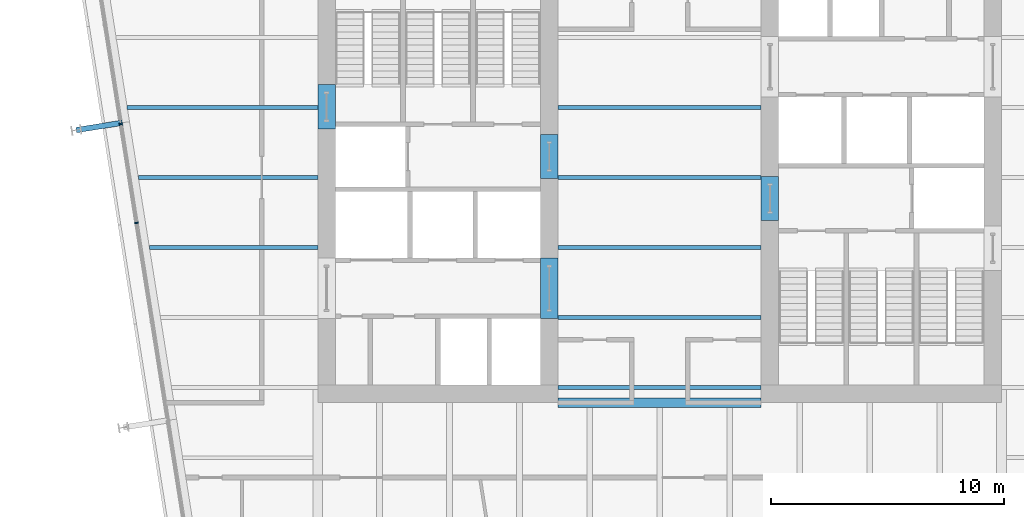
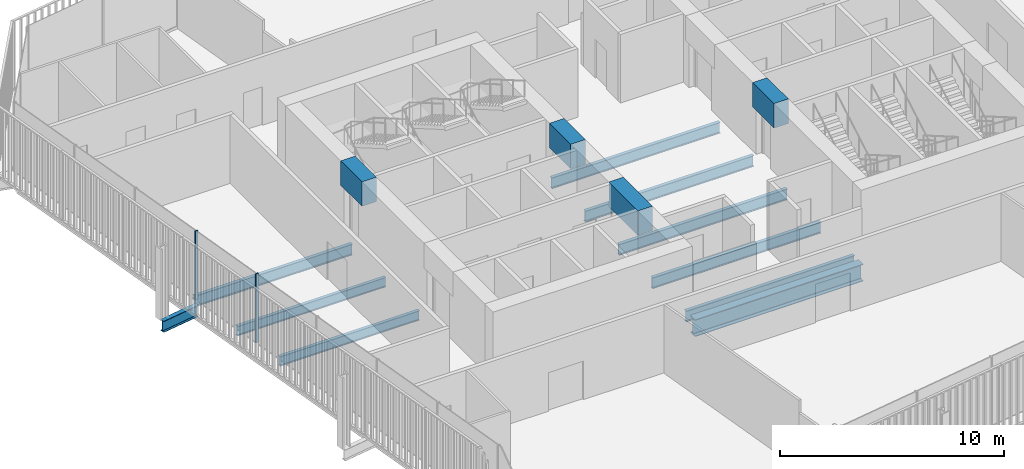
# One storey, part 6 of 21: 14 beams, 2 members, 1 element without a shape of its own.
"""IFC4 building model written with IfcOpenShell, lengths in metres."""

from ifc_helpers import new_model, si_unit, direction, frame, origin, origin_2d, place, context, subcontext, project, spatial, rectangle, i_section, extrude, material, layer, layer_set, material_profile, profile_set, type_object, element, aggregate, save


model = new_model("IFC4")

# Units and contexts
model_context = context("Model", 3, precision=1e-05, world=origin(), true_north=direction((0.0, 1.0)))
body_context = subcontext(model_context, "Body", "Model", "MODEL_VIEW")
ifc_project = project(units=[si_unit("LENGTHUNIT", "METRE"), si_unit("AREAUNIT", "SQUARE_METRE"), si_unit("VOLUMEUNIT", "CUBIC_METRE"), si_unit("PLANEANGLEUNIT", "RADIAN"), si_unit("MASSUNIT", "GRAM", prefix="KILO")], contexts=[model_context])

# Site, building, storey
site_placement = place(None, origin())
site = spatial("IfcSite", under=ifc_project, at=site_placement, CompositionType="ELEMENT")
building_placement = place(site_placement, origin())
building = spatial("IfcBuilding", under=site, at=building_placement, Name="Millrace Tower", CompositionType="ELEMENT")
storey_placement = place(building_placement, frame((0.0, 0.0, 133.39990234375)))
storey = spatial("IfcBuildingStorey", under=building, at=storey_placement, Name="L29", CompositionType="ELEMENT", Elevation=133.39990234375)

# Curtain wall, members
ifc_material_1 = material(Name="Aluminium and glass", Category="aluminium")
ifc_layer = layer(ifc_material_1, 0.14990234375)
ifc_layer_set = layer_set([ifc_layer], Name="Aluminium and glass")
curtain_wall_type = type_object("IfcCurtainWallType", Name="CW-1 office vision curtain wall", PredefinedType="NOTDEFINED", material=ifc_layer_set)
curtain_wall_placement = place(storey_placement, origin())
curtain_wall = element("IfcCurtainWall", 1, at=curtain_wall_placement, inside=storey, type_object=curtain_wall_type, Name="Curtain wall C-F08 L29", PredefinedType="NOTDEFINED")
ifc_material_2 = material(Name="Aluminium", Category="aluminium")
ifc_material_profile_1 = material_profile(ifc_material_2, rectangle(XDim=0.06494140625, YDim=0.14990234375, at=origin_2d()))
ifc_profile_set_1 = profile_set([ifc_material_profile_1], Name="Aluminium")
member_type = type_object("IfcMemberType", Name="CW-1 office vision curtain wall mullion", PredefinedType="MULLION", material=ifc_profile_set_1)
member_1_placement = place(storey_placement, frame((-23.088623046875, 2.300537109375, 0.14013671875), z_axis=(0.0, 0.0, 1.0), x_axis=(0.15643447328, -0.98768833929, 0.0)))
member_1 = element("IfcMember", 2, at=member_1_placement, type_object=member_type, Name="CW1 mullion C-F08.4", PredefinedType="MULLION", context=body_context, shape_type="SweptSolid", body=[
    extrude(rectangle(XDim=0.06494140625, YDim=0.14990234375, at=origin_2d()), origin(), (0.0, 0.0, 1.0), 3.760009765625),
])
member_2_placement = place(storey_placement, frame((-22.416015625, -1.946533203125, 0.14013671875), z_axis=(0.0, 0.0, 1.0), x_axis=(0.15643447328, -0.98768833929, 0.0)))
member_2 = element("IfcMember", 3, at=member_2_placement, type_object=member_type, Name="CW1 mullion C-F08.5", PredefinedType="MULLION", context=body_context, shape_type="SweptSolid", body=[
    extrude(rectangle(XDim=0.06494140625, YDim=0.14990234375, at=origin_2d()), origin(), (0.0, 0.0, 1.0), 3.760009765625),
])
aggregate(curtain_wall, [member_1, member_2])

# Beams
ifc_material_3 = material(Name="Concrete C70", Category="concrete")
ifc_material_profile_2 = material_profile(ifc_material_3, rectangle(XDim=0.75, YDim=1.340087890625, at=origin_2d()))
ifc_profile_set_2 = profile_set([ifc_material_profile_2], Name="Concrete C70")
beam_type_1 = type_object("IfcBeamType", Name="Coupling beam 750 x 1340 Concrete C70, 1300 opening", PredefinedType="BEAM", material=ifc_profile_set_2)
beam_1_placement = place(storey_placement, frame((-14.27490234375, 2.080078125, 3.070068359375), z_axis=(0.0, 1.0, 0.0), x_axis=(-1.0, 0.0, 0.0)))
element("IfcBeam", 4, at=beam_1_placement, inside=storey, type_object=beam_type_1, Name="Coupling beam W L29", PredefinedType="BEAM", context=body_context, shape_type="SweptSolid", body=[
    extrude(rectangle(XDim=0.75, YDim=1.340087890625, at=origin_2d()), origin(), (0.0, 0.0, 1.0), 1.89990234375),
])
for number, where, z_axis, x_axis, name in (
    (5, (-4.72509765625, -0.050048828125, 3.070068359375), (0.0, 1.0, 0.0), (-1.0, 0.0, 0.0), "Coupling beam W L29"),
    (6, (4.72509765625, 0.050048828125, 3.070068359375), (0.0, -1.0, 0.0), (1.0, 0.0, 0.0), "Coupling beam E L29"),
):
    element("IfcBeam", number, at=place(storey_placement, frame(where, z_axis=z_axis, x_axis=x_axis)), inside=storey, type_object=beam_type_1, Name=name, PredefinedType="BEAM", context=body_context, shape_type="SweptSolid", body=[
        extrude(rectangle(XDim=0.75, YDim=1.340087890625, at=origin_2d()), origin(), (0.0, 0.0, 1.0), 1.900146484375),
    ])
ifc_material_4 = material(Name="Concrete C70", Category="concrete")
ifc_material_profile_3 = material_profile(ifc_material_4, rectangle(XDim=0.75, YDim=1.340087890625, at=origin_2d()))
ifc_profile_set_3 = profile_set([ifc_material_profile_3], Name="Concrete C70")
beam_type_2 = type_object("IfcBeamType", Name="Coupling beam 750 x 1340 Concrete C70, 2000 opening", PredefinedType="BEAM", material=ifc_profile_set_3)
beam_2_placement = place(storey_placement, frame((-4.72509765625, -6.050048828125, 3.070068359375), z_axis=(0.0, 1.0, 0.0), x_axis=(-1.0, 0.0, 0.0)))
element("IfcBeam", 7, at=beam_2_placement, inside=storey, type_object=beam_type_2, Name="Coupling beam W L29", PredefinedType="BEAM", context=body_context, shape_type="SweptSolid", body=[
    extrude(rectangle(XDim=0.75, YDim=1.340087890625, at=origin_2d()), origin(), (0.0, 0.0, 1.0), 2.60009765625),
])
ifc_material_5 = material(Name="Steel ASTM A992 Grade 50", Category="steel")
ifc_material_profile_4 = material_profile(ifc_material_5, i_section(OverallWidth=0.1650390625, OverallDepth=0.52587890625, WebThickness=0.0087890625, FlangeThickness=0.011474609375, FilletRadius=0.0126953125, at=origin_2d()))
ifc_profile_set_4 = profile_set([ifc_material_profile_4], Name="Steel ASTM A992 Grade 50")
beam_type_3 = type_object("IfcBeamType", Name="Floor beam W21x44", PredefinedType="JOIST", material=ifc_profile_set_4)
beam_3_placement = place(storey_placement, frame((-21.862060546875, -3.0, -0.4228515625), z_axis=(1.0, 0.0, 0.0), x_axis=(0.0, 1.0, 0.0)))
element("IfcBeam", 8, at=beam_3_placement, inside=storey, type_object=beam_type_3, Name="BM-C-L29-S1-S017", PredefinedType="JOIST", context=body_context, shape_type="SweptSolid", body=[
    extrude(i_section(OverallWidth=0.1650390625, OverallDepth=0.52587890625, WebThickness=0.0087890625, FlangeThickness=0.011474609375, FilletRadius=0.0126953125, at=origin_2d()), origin(), (0.0, 0.0, 1.0), 7.212158203125),
])
beam_4_placement = place(storey_placement, frame((-22.337158203125, 0.0, -0.4228515625), z_axis=(1.0, 0.0, 0.0), x_axis=(0.0, 1.0, 0.0)))
element("IfcBeam", 9, at=beam_4_placement, inside=storey, type_object=beam_type_3, Name="BM-C-L29-S1-S020", PredefinedType="JOIST", context=body_context, shape_type="SweptSolid", body=[
    extrude(i_section(OverallWidth=0.1650390625, OverallDepth=0.52587890625, WebThickness=0.0087890625, FlangeThickness=0.011474609375, FilletRadius=0.0126953125, at=origin_2d()), origin(), (0.0, 0.0, 1.0), 7.687255859375),
])
ifc_material_6 = material(Name="Steel ASTM A992 Grade 50", Category="steel")
ifc_material_profile_5 = material_profile(ifc_material_6, i_section(OverallWidth=0.177978515625, OverallDepth=0.599365234375, WebThickness=0.010009765625, FlangeThickness=0.012939453125, FilletRadius=0.012939453125, at=origin_2d()))
ifc_profile_set_5 = profile_set([ifc_material_profile_5], Name="Steel ASTM A992 Grade 50")
beam_type_4 = type_object("IfcBeamType", Name="Floor beam W24x55", PredefinedType="JOIST", material=ifc_profile_set_5)
for number, where, z_axis, x_axis, name in (
    (10, (-4.35009765625, -9.0, -0.459716796875), (1.0, 0.0, 0.0), (0.0, 1.0, 0.0), "BM-C-L29-S1-S010"),
    (11, (-4.35009765625, -6.0, -0.459716796875), (1.0, 0.0, 0.0), (0.0, 1.0, 0.0), "BM-C-L29-S1-S013"),
    (12, (-4.35009765625, -3.0, -0.459716796875), (1.0, 0.0, 0.0), (0.0, 1.0, 0.0), "BM-C-L29-S1-S016"),
    (13, (-4.35009765625, 0.0, -0.459716796875), (1.0, 0.0, 0.0), (0.0, 1.0, 0.0), "BM-C-L29-S1-S019"),
    (14, (-4.35009765625, 3.0, -0.459716796875), (1.0, 0.0, 0.0), (0.0, 1.0, 0.0), "BM-C-L29-S1-S022"),
):
    element("IfcBeam", number, at=place(storey_placement, frame(where, z_axis=z_axis, x_axis=x_axis)), inside=storey, type_object=beam_type_4, Name=name, PredefinedType="JOIST", context=body_context, shape_type="SweptSolid", body=[
        extrude(i_section(OverallWidth=0.177978515625, OverallDepth=0.599365234375, WebThickness=0.010009765625, FlangeThickness=0.012939453125, FilletRadius=0.012939453125, at=origin_2d()), origin(), (0.0, 0.0, 1.0), 8.7001953125),
    ])
beam_5_placement = place(storey_placement, frame((-22.812255859375, 3.0, -0.459716796875), z_axis=(1.0, 0.0, 0.0), x_axis=(0.0, 1.0, 0.0)))
element("IfcBeam", 15, at=beam_5_placement, inside=storey, type_object=beam_type_4, Name="BM-C-L29-S1-S023", PredefinedType="JOIST", context=body_context, shape_type="SweptSolid", body=[
    extrude(i_section(OverallWidth=0.177978515625, OverallDepth=0.599365234375, WebThickness=0.010009765625, FlangeThickness=0.012939453125, FilletRadius=0.012939453125, at=origin_2d()), origin(), (0.0, 0.0, 1.0), 8.162353515625),
])
ifc_material_7 = material(Name="Steel ASTM A992 Grade 50", Category="steel")
ifc_material_profile_6 = material_profile(ifc_material_7, i_section(OverallWidth=0.419189453125, OverallDepth=0.927001953125, WebThickness=0.019287109375, FlangeThickness=0.031982421875, FilletRadius=0.024169921875, at=origin_2d()))
ifc_profile_set_6 = profile_set([ifc_material_profile_6], Name="Steel ASTM A992 Grade 50")
beam_type_5 = type_object("IfcBeamType", Name="Girder short span W36x231", PredefinedType="BEAM", material=ifc_profile_set_6)
beam_6_placement = place(storey_placement, frame((-4.35009765625, -9.64990234375, -0.62353515625), z_axis=(1.0, 0.0, 0.0), x_axis=(0.0, 1.0, 0.0)))
element("IfcBeam", 16, at=beam_6_placement, inside=storey, type_object=beam_type_5, Name="BM-C-L29-S1-G062", PredefinedType="BEAM", context=body_context, shape_type="SweptSolid", body=[
    extrude(i_section(OverallWidth=0.419189453125, OverallDepth=0.927001953125, WebThickness=0.019287109375, FlangeThickness=0.031982421875, FilletRadius=0.024169921875, at=origin_2d()), origin(), (0.0, 0.0, 1.0), 8.7001953125),
])
ifc_material_8 = material(Name="Steel ASTM A992 Grade 50", Category="steel")
ifc_material_profile_7 = material_profile(ifc_material_8, i_section(OverallWidth=0.23046875, OverallDepth=0.6171875, WebThickness=0.01318359375, FlangeThickness=0.022216796875, FilletRadius=0.012939453125, at=origin_2d()))
ifc_profile_set_7 = profile_set([ifc_material_profile_7], Name="Steel ASTM A992 Grade 50")
beam_type_6 = type_object("IfcBeamType", Name="Link beam W24x94", PredefinedType="BEAM", material=ifc_profile_set_7)
beam_7_placement = place(storey_placement, frame((-23.019775390625, 2.344482421875, -0.468505859375), z_axis=(-0.987678691416, -0.156495375404, 0.0), x_axis=(0.156495375404, -0.987678691416, 0.0)))
element("IfcBeam", 17, at=beam_7_placement, inside=storey, type_object=beam_type_6, Name="LNK-C-L29-S1-03", PredefinedType="BEAM", context=body_context, shape_type="SweptSolid", body=[
    extrude(i_section(OverallWidth=0.23046875, OverallDepth=0.6171875, WebThickness=0.01318359375, FlangeThickness=0.022216796875, FilletRadius=0.012939453125, at=origin_2d()), origin(), (0.0, 0.0, 1.0), 2.0),
])

save(model, "model.ifc")
